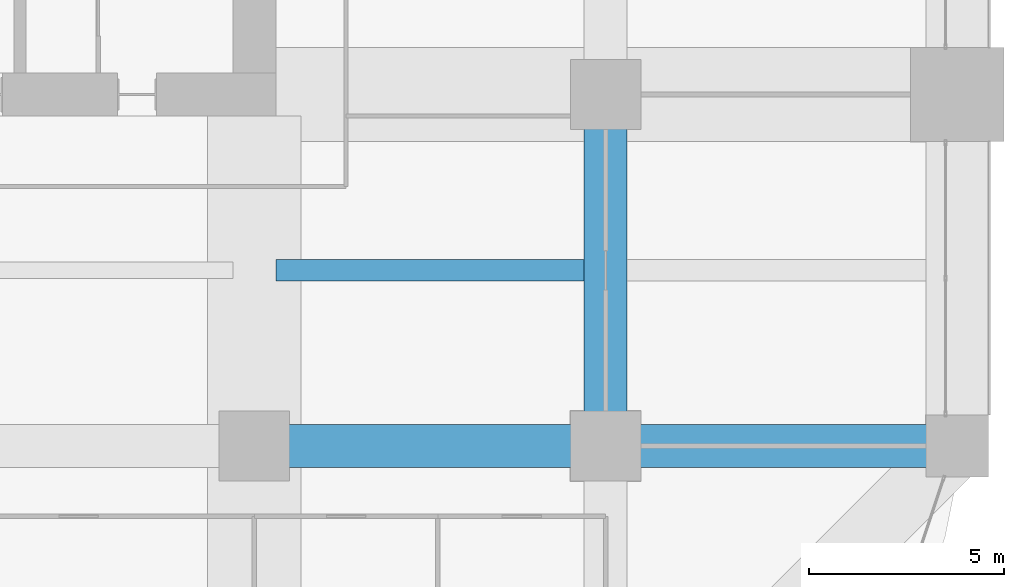
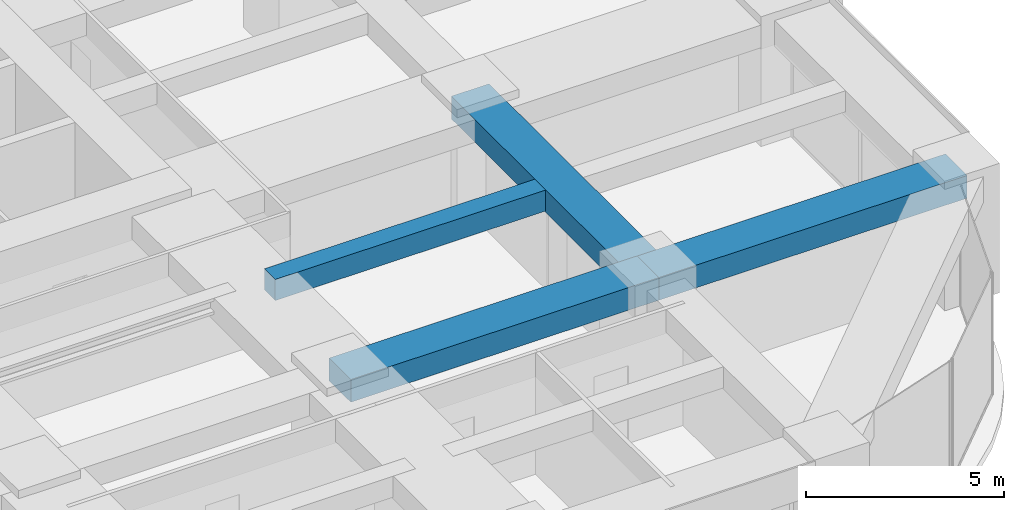
# One storey, part 18 of 43: 4 beams.
"""IFC4 building model written with IfcOpenShell, lengths in metres."""

from ifc_helpers import new_model, si_unit, direction, frame, origin, origin_2d, place, context, subcontext, project, spatial, rectangle, extrude, material, material_profile, profile_set, type_object, element, save


model = new_model("IFC4")

# Units and contexts
model_context = context("Model", 3, precision=1e-05, world=origin(), true_north=direction((0.0, 1.0)))
body_context = subcontext(model_context, "Body", "Model", "MODEL_VIEW")
ifc_project = project(units=[si_unit("LENGTHUNIT", "METRE"), si_unit("AREAUNIT", "SQUARE_METRE"), si_unit("VOLUMEUNIT", "CUBIC_METRE"), si_unit("PLANEANGLEUNIT", "RADIAN"), si_unit("MASSUNIT", "GRAM", prefix="KILO")], contexts=[model_context])

# Site, building, storey
site_placement = place(None, origin())
site = spatial("IfcSite", under=ifc_project, at=site_placement, CompositionType="ELEMENT")
building_placement = place(site_placement, origin())
building = spatial("IfcBuilding", under=site, at=building_placement, Name="Zorevar Civic Tower", CompositionType="ELEMENT")
storey_placement = place(building_placement, frame((0.0, 0.0, 145.0)))
storey = spatial("IfcBuildingStorey", under=building, at=storey_placement, Name="L35", CompositionType="ELEMENT", Elevation=145.0)

# Beams
ifc_material_1 = material(Name="Concrete C50/60", Category="concrete")
ifc_material_profile_1 = material_profile(ifc_material_1, rectangle(XDim=1.10009765625, YDim=0.699951171875, at=origin_2d()), Name="RC 1100x700")
ifc_profile_set_1 = profile_set([ifc_material_profile_1], Name="Concrete C50/60")
beam_type_1 = type_object("IfcBeamType", Name="Beam RC 1100x700", PredefinedType="BEAM", material=ifc_profile_set_1)
for number, where, z_axis, x_axis, name in (
    (1, (45.0, 9.0, 3.39990234375), (1.0, 0.0, 0.0), (0.0, 1.0, 0.0), "Girder L36"),
    (2, (54.0, 9.0, 3.39990234375), (1.0, 0.0, 0.0), (0.0, 1.0, 0.0), "Girder L36"),
    (3, (54.0, 9.0, 3.39990234375), (0.0, 1.0, 0.0), (-1.0, 0.0, 0.0), "Girder L36"),
):
    element("IfcBeam", number, at=place(storey_placement, frame(where, z_axis=z_axis, x_axis=x_axis)), inside=storey, type_object=beam_type_1, Name=name, PredefinedType="BEAM", context=body_context, shape_type="SweptSolid", body=[
        extrude(rectangle(XDim=1.10009765625, YDim=0.699951171875, at=origin_2d()), origin(), (0.0, 0.0, 1.0), 9.0),
    ])
ifc_material_2 = material(Name="Concrete C50/60", Category="concrete")
ifc_material_profile_2 = material_profile(ifc_material_2, rectangle(XDim=0.550048828125, YDim=0.64990234375, at=origin_2d()), Name="RC 550x650")
ifc_profile_set_2 = profile_set([ifc_material_profile_2], Name="Concrete C50/60")
beam_type_2 = type_object("IfcBeamType", Name="Beam RC 550x650", PredefinedType="BEAM", material=ifc_profile_set_2)
beam_placement = place(storey_placement, frame((45.550048828125, 13.5, 3.425048828125), z_axis=(1.0, 0.0, 0.0), x_axis=(0.0, 1.0, 0.0)))
element("IfcBeam", 4, at=beam_placement, inside=storey, type_object=beam_type_2, Name="Secondary beam L36", PredefinedType="BEAM", context=body_context, shape_type="SweptSolid", body=[
    extrude(rectangle(XDim=0.550048828125, YDim=0.64990234375, at=origin_2d()), origin(), (0.0, 0.0, 1.0), 7.89990234375),
])

save(model, "model.ifc")
